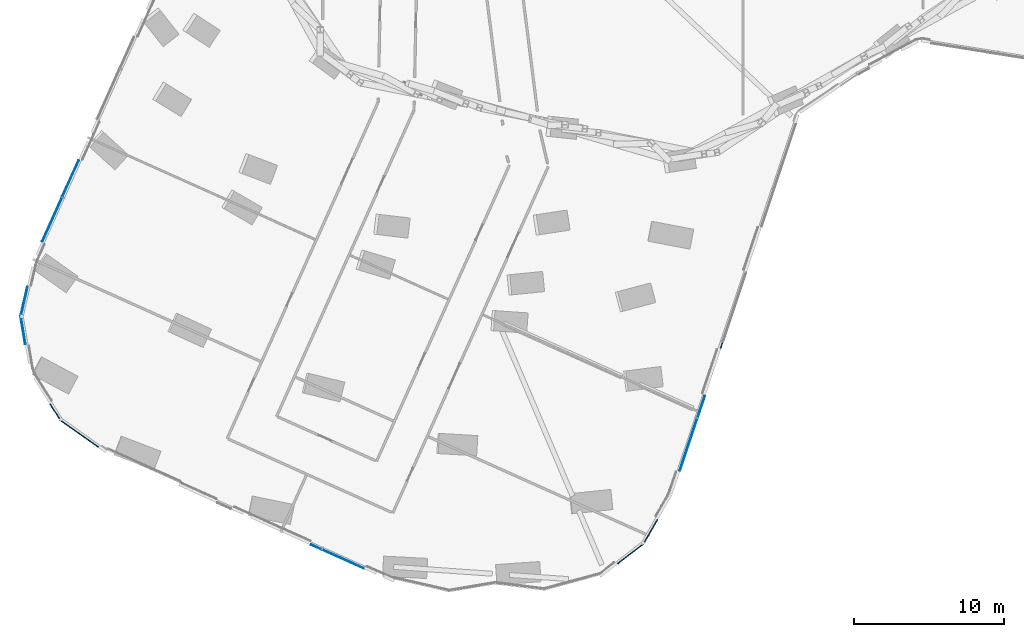
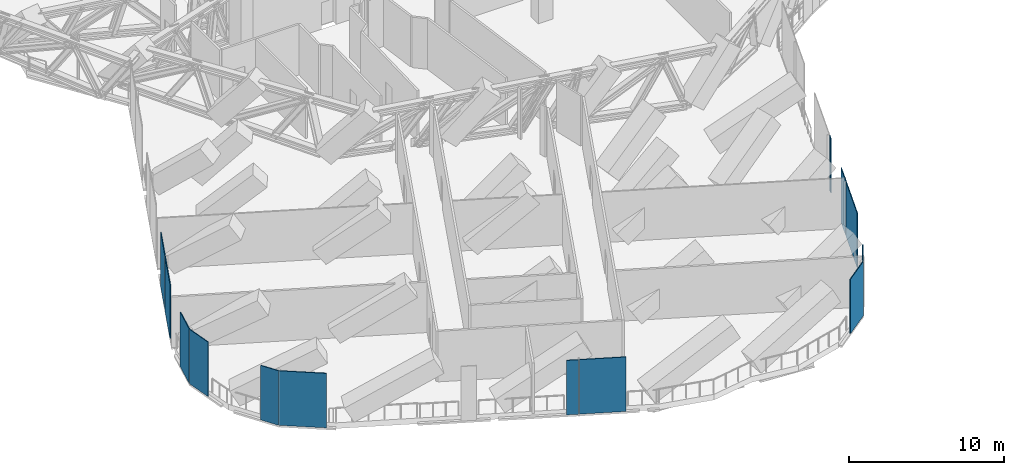
# One storey, part 21 of 39: 13 plates, 9 elements without a shape of their own.
"""IFC4 building model written with IfcOpenShell, lengths in metres."""

from ifc_helpers import new_model, si_unit, direction, frame, origin, origin_2d, place, context, subcontext, project, spatial, rectangle, extrude, material, layer, layer_set, type_object, element, aggregate, save


model = new_model("IFC4")

# Units and contexts
model_context = context("Model", 3, precision=1e-05, world=origin(), true_north=direction((0.0, 1.0)))
body_context = subcontext(model_context, "Body", "Model", "MODEL_VIEW")
ifc_project = project(units=[si_unit("LENGTHUNIT", "METRE"), si_unit("AREAUNIT", "SQUARE_METRE"), si_unit("VOLUMEUNIT", "CUBIC_METRE"), si_unit("PLANEANGLEUNIT", "RADIAN"), si_unit("MASSUNIT", "GRAM", prefix="KILO")], contexts=[model_context])

# Site, building, storey
site_placement = place(None, origin())
site = spatial("IfcSite", under=ifc_project, at=site_placement, CompositionType="ELEMENT")
building_placement = place(site_placement, origin())
building = spatial("IfcBuilding", under=site, at=building_placement, Name="Orlundy Tower", CompositionType="ELEMENT")
storey_placement = place(building_placement, frame((0.0, 0.0, 141.199951171875)))
storey = spatial("IfcBuildingStorey", under=building, at=storey_placement, Name="L36", CompositionType="ELEMENT", Elevation=141.199951171875)

# Curtain wall, plates
ifc_material_1 = material(Name="Aluminium bronze anodised", Category="aluminium")
curtain_wall_type = type_object("IfcCurtainWallType", Name="CW4 wall", PredefinedType="NOTDEFINED", material=ifc_material_1)
curtain_wall_1_placement = place(storey_placement, origin())
curtain_wall_1 = element("IfcCurtainWall", 1, at=curtain_wall_1_placement, inside=storey, type_object=curtain_wall_type, Name="CW4 run 00", PredefinedType="NOTDEFINED")
ifc_material_2 = material(Name="Louvre aluminium bronze anodised", Category="aluminium")
ifc_layer = layer(ifc_material_2, 0.06005859375)
ifc_layer_set = layer_set([ifc_layer], Name="CW4 louvre panel 60")
plate_type = type_object("IfcPlateType", Name="CW4 louvre panel 60", PredefinedType="CURTAIN_PANEL", material=ifc_layer_set)
plate_1_placement = place(storey_placement, frame((6.586669921875, -43.880126953125, -0.2998046875), z_axis=(0.0, 0.0, 1.0), x_axis=(-0.317314020344, -0.948320522025, 0.0)))
plate_1 = element("IfcPlate", 2, at=plate_1_placement, type_object=plate_type, Name="CW4 louvre", PredefinedType="CURTAIN_PANEL", context=body_context, shape_type="SweptSolid", body=[
    extrude(rectangle(XDim=0.412841796875, YDim=0.06005859375, at=origin_2d()), origin(), (0.0, 0.0, 1.0), 4.300048828125),
])
plate_2_placement = place(storey_placement, frame((5.2138671875, -47.983154296875, -0.2998046875), z_axis=(0.0, 0.0, 1.0), x_axis=(-0.317314020344, -0.948320522025, 0.0)))
plate_2 = element("IfcPlate", 3, at=plate_2_placement, type_object=plate_type, Name="CW4 louvre", PredefinedType="CURTAIN_PANEL", context=body_context, shape_type="SweptSolid", body=[
    extrude(rectangle(XDim=1.527587890625, YDim=0.06005859375, at=origin_2d()), origin(), (0.0, 0.0, 1.0), 4.300048828125),
])
plate_3_placement = place(storey_placement, frame((4.371337890625, -50.501220703125, -0.2998046875), z_axis=(0.0, 0.0, 1.0), x_axis=(-0.317314020344, -0.948320522025, 0.0)))
plate_3 = element("IfcPlate", 4, at=plate_3_placement, type_object=plate_type, Name="CW4 louvre", PredefinedType="CURTAIN_PANEL", context=body_context, shape_type="SweptSolid", body=[
    extrude(rectangle(XDim=3.6630859375, YDim=0.06005859375, at=origin_2d()), origin(), (0.0, 0.0, 1.0), 4.300048828125),
])
aggregate(curtain_wall_1, [plate_1, plate_2, plate_3])

# Curtain wall, plate
curtain_wall_2_placement = place(storey_placement, origin())
curtain_wall_2 = element("IfcCurtainWall", 5, at=curtain_wall_2_placement, inside=storey, type_object=curtain_wall_type, Name="CW4 run 01", PredefinedType="NOTDEFINED")
plate_4_placement = place(storey_placement, frame((1.8486328125, -56.296142578125, -0.2998046875), z_axis=(0.0, 0.0, 1.0), x_axis=(-0.496167993802, -0.868226538368, 0.0)))
plate_4 = element("IfcPlate", 6, at=plate_4_placement, type_object=plate_type, Name="CW4 louvre", PredefinedType="CURTAIN_PANEL", context=body_context, shape_type="SweptSolid", body=[
    extrude(rectangle(XDim=1.837158203125, YDim=0.06005859375, at=origin_2d()), origin(), (0.0, 0.0, 1.0), 4.300048828125),
])
aggregate(curtain_wall_2, [plate_4])

curtain_wall_3_placement = place(storey_placement, origin())
curtain_wall_3 = element("IfcCurtainWall", 7, at=curtain_wall_3_placement, inside=storey, type_object=curtain_wall_type, Name="CW4 run 02", PredefinedType="NOTDEFINED")
plate_5_placement = place(storey_placement, frame((0.525390625, -57.765380859375, -0.2998046875), z_axis=(0.0, 0.0, 1.0), x_axis=(-0.790614183516, -0.61231463548, 0.0)))
plate_5 = element("IfcPlate", 8, at=plate_5_placement, type_object=plate_type, Name="CW4 louvre", PredefinedType="CURTAIN_PANEL", context=body_context, shape_type="SweptSolid", body=[
    extrude(rectangle(XDim=2.194091796875, YDim=0.06005859375, at=origin_2d()), origin(), (0.0, 0.0, 1.0), 4.300048828125),
])
aggregate(curtain_wall_3, [plate_5])

# Curtain wall, plates
curtain_wall_4_placement = place(storey_placement, origin())
curtain_wall_4 = element("IfcCurtainWall", 9, at=curtain_wall_4_placement, inside=storey, type_object=curtain_wall_type, Name="CW4 run 07", PredefinedType="NOTDEFINED")
plate_6_placement = place(storey_placement, frame((-18.64404296875, -58.131591796875, -0.2998046875), z_axis=(0.0, 0.0, 1.0), x_axis=(-0.912366461182, 0.409374450241, 0.0)))
plate_6 = element("IfcPlate", 10, at=plate_6_placement, type_object=plate_type, Name="CW4 louvre", PredefinedType="CURTAIN_PANEL", context=body_context, shape_type="SweptSolid", body=[
    extrude(rectangle(XDim=3.016845703125, YDim=0.06005859375, at=origin_2d()), origin(), (0.0, 0.0, 1.0), 4.300048828125),
])
plate_7_placement = place(storey_placement, frame((-20.4267578125, -57.331787109375, -0.2998046875), z_axis=(0.0, 0.0, 1.0), x_axis=(-0.912366461182, 0.409374450241, 0.0)))
plate_7 = element("IfcPlate", 11, at=plate_7_placement, type_object=plate_type, Name="CW4 louvre", PredefinedType="CURTAIN_PANEL", context=body_context, shape_type="SweptSolid", body=[
    extrude(rectangle(XDim=0.771240234375, YDim=0.06005859375, at=origin_2d()), origin(), (0.0, 0.0, 1.0), 4.300048828125),
])
aggregate(curtain_wall_4, [plate_6, plate_7])

# Curtain wall, plate
curtain_wall_5_placement = place(storey_placement, origin())
curtain_wall_5 = element("IfcCurtainWall", 12, at=curtain_wall_5_placement, inside=storey, type_object=curtain_wall_type, Name="CW4 run 08", PredefinedType="NOTDEFINED")
plate_8_placement = place(storey_placement, frame((-36.228271484375, -49.770751953125, -0.2998046875), z_axis=(0.0, 0.0, 1.0), x_axis=(-0.814989299383, 0.579476006313, 0.0)))
plate_8 = element("IfcPlate", 13, at=plate_8_placement, type_object=plate_type, Name="CW4 louvre", PredefinedType="CURTAIN_PANEL", context=body_context, shape_type="SweptSolid", body=[
    extrude(rectangle(XDim=3.10888671875, YDim=0.06005859375, at=origin_2d()), origin(), (0.0, 0.0, 1.0), 4.300048828125),
])
aggregate(curtain_wall_5, [plate_8])

curtain_wall_6_placement = place(storey_placement, origin())
curtain_wall_6 = element("IfcCurtainWall", 14, at=curtain_wall_6_placement, inside=storey, type_object=curtain_wall_type, Name="CW4 run 09", PredefinedType="NOTDEFINED")
plate_9_placement = place(storey_placement, frame((-37.835693359375, -48.32666015625, -0.2998046875), z_axis=(0.0, 0.0, 1.0), x_axis=(-0.531138080086, 0.847285276564, 0.0)))
plate_9 = element("IfcPlate", 15, at=plate_9_placement, type_object=plate_type, Name="CW4 louvre", PredefinedType="CURTAIN_PANEL", context=body_context, shape_type="SweptSolid", body=[
    extrude(rectangle(XDim=1.2822265625, YDim=0.06005859375, at=origin_2d()), origin(), (0.0, 0.0, 1.0), 4.300048828125),
])
aggregate(curtain_wall_6, [plate_9])

curtain_wall_7_placement = place(storey_placement, origin())
curtain_wall_7 = element("IfcCurtainWall", 16, at=curtain_wall_7_placement, inside=storey, type_object=curtain_wall_type, Name="CW4 run 010", PredefinedType="NOTDEFINED")
plate_10_placement = place(storey_placement, frame((-39.97119140625, -42.880859375, -0.2998046875), z_axis=(0.0, 0.0, 1.0), x_axis=(-0.166454797856, 0.986049086137, 0.0)))
plate_10 = element("IfcPlate", 17, at=plate_10_placement, type_object=plate_type, Name="CW4 louvre", PredefinedType="CURTAIN_PANEL", context=body_context, shape_type="SweptSolid", body=[
    extrude(rectangle(XDim=1.887939453125, YDim=0.06005859375, at=origin_2d()), origin(), (0.0, 0.0, 1.0), 4.300048828125),
])
aggregate(curtain_wall_7, [plate_10])

curtain_wall_8_placement = place(storey_placement, origin())
curtain_wall_8 = element("IfcCurtainWall", 18, at=curtain_wall_8_placement, inside=storey, type_object=curtain_wall_type, Name="CW4 run 011", PredefinedType="NOTDEFINED")
plate_11_placement = place(storey_placement, frame((-39.90283203125, -40.96728515625, -0.2998046875), z_axis=(0.0, 0.0, 1.0), x_axis=(0.223637795584, 0.974672322571, 0.0)))
plate_11 = element("IfcPlate", 19, at=plate_11_placement, type_object=plate_type, Name="CW4 louvre", PredefinedType="CURTAIN_PANEL", context=body_context, shape_type="SweptSolid", body=[
    extrude(rectangle(XDim=2.016357421875, YDim=0.06005859375, at=origin_2d()), origin(), (0.0, 0.0, 1.0), 4.300048828125),
])
aggregate(curtain_wall_8, [plate_11])

# Curtain wall, plates
curtain_wall_9_placement = place(storey_placement, origin())
curtain_wall_9 = element("IfcCurtainWall", 20, at=curtain_wall_9_placement, inside=storey, type_object=curtain_wall_type, Name="CW4 run 012", PredefinedType="NOTDEFINED")
plate_12_placement = place(storey_placement, frame((-38.0322265625, -35.489501953125, -0.2998046875), z_axis=(0.0, 0.0, 1.0), x_axis=(0.409404258912, 0.912353085589, 0.0)))
plate_12 = element("IfcPlate", 21, at=plate_12_placement, type_object=plate_type, Name="CW4 louvre", PredefinedType="CURTAIN_PANEL", context=body_context, shape_type="SweptSolid", body=[
    extrude(rectangle(XDim=3.207275390625, YDim=0.06005859375, at=origin_2d()), origin(), (0.0, 0.0, 1.0), 4.300048828125),
])
plate_13_placement = place(storey_placement, frame((-36.81005859375, -32.765380859375, -0.2998046875), z_axis=(0.0, 0.0, 1.0), x_axis=(0.409404258912, 0.912353085589, 0.0)))
plate_13 = element("IfcPlate", 22, at=plate_13_placement, type_object=plate_type, Name="CW4 louvre", PredefinedType="CURTAIN_PANEL", context=body_context, shape_type="SweptSolid", body=[
    extrude(rectangle(XDim=2.643798828125, YDim=0.06005859375, at=origin_2d()), origin(), (0.0, 0.0, 1.0), 4.300048828125),
])
aggregate(curtain_wall_9, [plate_12, plate_13])

save(model, "model.ifc")
